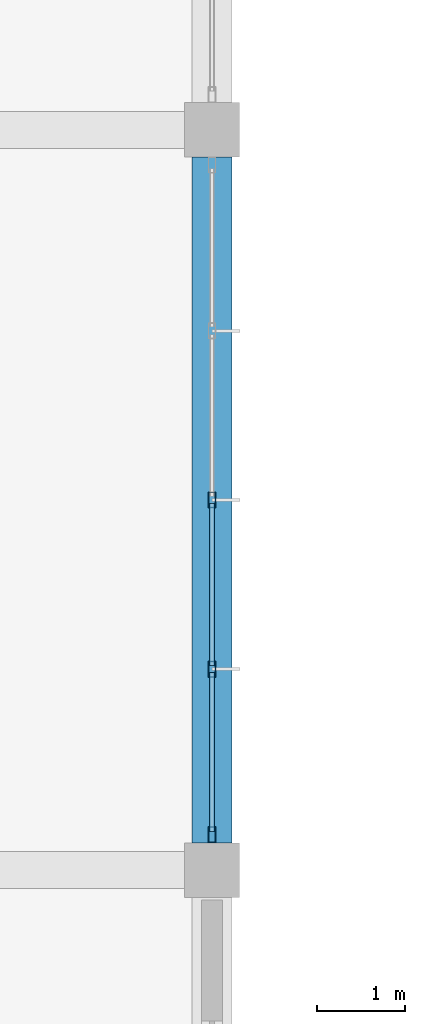
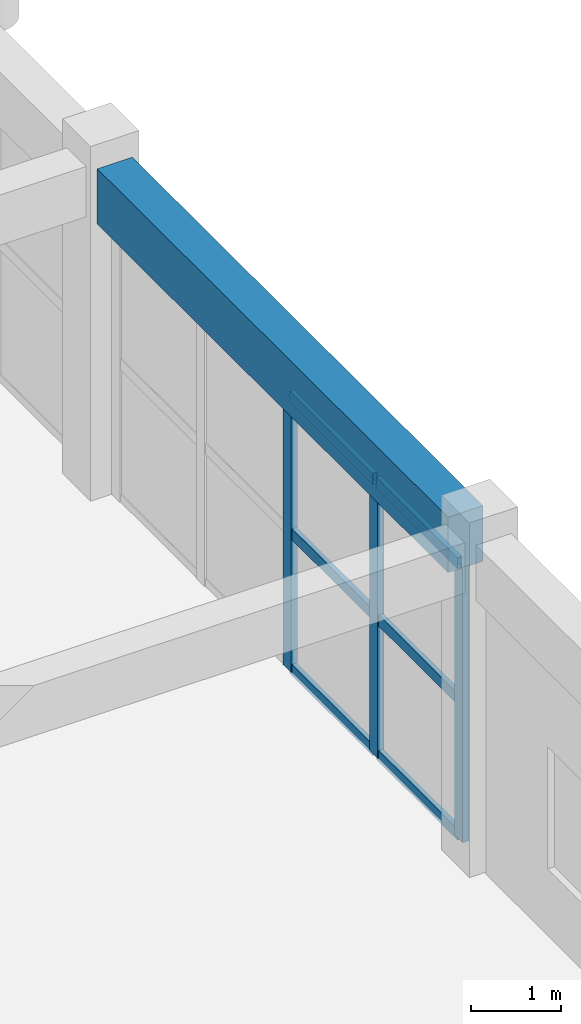
# One storey, part 93 of 167: 9 members, 1 beam, 1 element without a shape of its own.
"""IFC4 building model written with IfcOpenShell, lengths in metres."""

from ifc_helpers import new_model, si_unit, direction, frame, origin, origin_2d, place, context, subcontext, project, spatial, rectangle, hollow_rectangle, extrude, material, layer, layer_set, material_profile, profile_set, type_object, element, aggregate, save


model = new_model("IFC4")

# Units and contexts
model_context = context("Model", 3, precision=1e-05, world=origin(), true_north=direction((0.0, 1.0)))
body_context = subcontext(model_context, "Body", "Model", "MODEL_VIEW")
ifc_project = project(units=[si_unit("LENGTHUNIT", "METRE"), si_unit("AREAUNIT", "SQUARE_METRE"), si_unit("VOLUMEUNIT", "CUBIC_METRE"), si_unit("PLANEANGLEUNIT", "RADIAN"), si_unit("MASSUNIT", "GRAM", prefix="KILO")], contexts=[model_context])

# Site, building, storey
site_placement = place(None, origin())
site = spatial("IfcSite", under=ifc_project, at=site_placement, CompositionType="ELEMENT")
building_placement = place(site_placement, origin())
building = spatial("IfcBuilding", under=site, at=building_placement, Name="Zizhar Promenade General Hospital", CompositionType="ELEMENT")
storey_placement = place(building_placement, frame((0.0, 0.0, 9.60009765625)))
storey = spatial("IfcBuildingStorey", under=building, at=storey_placement, Name="L02", CompositionType="ELEMENT", Elevation=9.60009765625)

# Beam
ifc_material_1 = material(Name="Concrete C35/45", Category="concrete")
ifc_material_profile_1 = material_profile(ifc_material_1, rectangle(XDim=0.449951171875, YDim=0.75, at=origin_2d()))
ifc_profile_set_1 = profile_set([ifc_material_profile_1], Name="Concrete C35/45")
beam_type = type_object("IfcBeamType", Name="BM-RC-450x750", PredefinedType="BEAM", material=ifc_profile_set_1)
beam_placement = place(storey_placement, frame((195.0, 59.110107421875, 4.094970703125), z_axis=(0.0, 1.0, 0.0), x_axis=(-1.0, 0.0, 0.0)))
element("IfcBeam", 1, at=beam_placement, inside=storey, type_object=beam_type, Name="Grid Beam Y L02 (25-7)", PredefinedType="BEAM", context=body_context, shape_type="SweptSolid", body=[
    extrude(rectangle(XDim=0.449951171875, YDim=0.75, at=origin_2d()), origin(), (0.0, 0.0, 1.0), 7.77978515625),
])

# Curtain wall, members
ifc_material_2 = material(Name="Anodised aluminium 6063-T6 and low-E glass", Category="aluminium")
ifc_layer = layer(ifc_material_2, 0.159912109375)
ifc_layer_set = layer_set([ifc_layer], Name="Anodised aluminium 6063-T6 and low-E glass")
curtain_wall_type = type_object("IfcCurtainWallType", Name="CW-CLN-EXT", PredefinedType="NOTDEFINED", material=ifc_layer_set)
curtain_wall_placement = place(storey_placement, origin())
curtain_wall = element("IfcCurtainWall", 2, at=curtain_wall_placement, inside=storey, type_object=curtain_wall_type, Name="Outpatient East Curtain Wall L02-7", PredefinedType="NOTDEFINED")
ifc_material_3 = material(Name="Anodised aluminium 6063-T6", Category="aluminium")
ifc_material_profile_2 = material_profile(ifc_material_3, hollow_rectangle(XDim=0.080078125, YDim=0.179931640625, WallThickness=0.0048828125, at=origin_2d()))
ifc_profile_set_2 = profile_set([ifc_material_profile_2], Name="Anodised aluminium 6063-T6")
member_type_1 = type_object("IfcMemberType", Name="CWM-ALU-180x80", PredefinedType="MULLION", material=ifc_profile_set_2)
member_1_placement = place(storey_placement, frame((195.0, 63.0, 0.0), z_axis=(0.0, 0.0, 1.0), x_axis=(1.0, 0.0, 0.0)))
member_1 = element("IfcMember", 3, at=member_1_placement, type_object=member_type_1, Name="CW-09 mullion 3", PredefinedType="MULLION", context=body_context, shape_type="SweptSolid", body=[
    extrude(hollow_rectangle(XDim=0.080078125, YDim=0.179931640625, WallThickness=0.0048828125, at=origin_2d()), origin(), (0.0, 0.0, 1.0), 3.72998046875),
])
member_2_placement = place(storey_placement, frame((195.0, 61.080078125, 0.0), z_axis=(0.0, 0.0, 1.0), x_axis=(1.0, 0.0, 0.0)))
member_2 = element("IfcMember", 4, at=member_2_placement, type_object=member_type_1, Name="CW-09 mullion 4", PredefinedType="MULLION", context=body_context, shape_type="SweptSolid", body=[
    extrude(hollow_rectangle(XDim=0.080078125, YDim=0.179931640625, WallThickness=0.0048828125, at=origin_2d()), origin(), (0.0, 0.0, 1.0), 3.72998046875),
])
member_3_placement = place(storey_placement, frame((195.0, 59.199951171875, 0.0), z_axis=(0.0, 0.0, 1.0), x_axis=(1.0, 0.0, 0.0)))
member_3 = element("IfcMember", 5, at=member_3_placement, type_object=member_type_1, Name="CW-09 mullion 5", PredefinedType="MULLION", context=body_context, shape_type="SweptSolid", body=[
    extrude(hollow_rectangle(XDim=0.080078125, YDim=0.179931640625, WallThickness=0.0048828125, at=origin_2d()), origin(), (0.0, 0.0, 1.0), 3.72998046875),
])
ifc_material_4 = material(Name="Anodised aluminium 6063-T6", Category="aluminium")
ifc_material_profile_3 = material_profile(ifc_material_4, hollow_rectangle(XDim=0.06005859375, YDim=0.14990234375, WallThickness=0.00390625, at=origin_2d()))
ifc_profile_set_3 = profile_set([ifc_material_profile_3], Name="Anodised aluminium 6063-T6")
member_type_2 = type_object("IfcMemberType", Name="CWT-ALU-150x60", PredefinedType="USERDEFINED", material=ifc_profile_set_3)
member_4_placement = place(storey_placement, frame((195.0, 62.9599609375, 0.02978515625), z_axis=(0.0, -1.0, 0.0), x_axis=(1.0, 0.0, 0.0)))
member_4 = element("IfcMember", 6, at=member_4_placement, type_object=member_type_2, Name="CW-09 transom 3.1", ObjectType="TRANSOM", PredefinedType="USERDEFINED", context=body_context, shape_type="SweptSolid", body=[
    extrude(hollow_rectangle(XDim=0.06005859375, YDim=0.14990234375, WallThickness=0.00390625, at=origin_2d()), origin(), (0.0, 0.0, 1.0), 1.83984375),
])
member_5_placement = place(storey_placement, frame((195.0, 62.9599609375, 1.864990234375), z_axis=(0.0, -1.0, 0.0), x_axis=(1.0, 0.0, 0.0)))
member_5 = element("IfcMember", 7, at=member_5_placement, type_object=member_type_2, Name="CW-09 transom 3.2", ObjectType="TRANSOM", PredefinedType="USERDEFINED", context=body_context, shape_type="SweptSolid", body=[
    extrude(hollow_rectangle(XDim=0.06005859375, YDim=0.14990234375, WallThickness=0.00390625, at=origin_2d()), origin(), (0.0, 0.0, 1.0), 1.83984375),
])
member_6_placement = place(storey_placement, frame((195.0, 62.9599609375, 3.699951171875), z_axis=(0.0, -1.0, 0.0), x_axis=(1.0, 0.0, 0.0)))
member_6 = element("IfcMember", 8, at=member_6_placement, type_object=member_type_2, Name="CW-09 transom 3.3", ObjectType="TRANSOM", PredefinedType="USERDEFINED", context=body_context, shape_type="SweptSolid", body=[
    extrude(hollow_rectangle(XDim=0.06005859375, YDim=0.14990234375, WallThickness=0.00390625, at=origin_2d()), origin(), (0.0, 0.0, 1.0), 1.83984375),
])
member_7_placement = place(storey_placement, frame((195.0, 61.0400390625, 0.02978515625), z_axis=(0.0, -1.0, 0.0), x_axis=(1.0, 0.0, 0.0)))
member_7 = element("IfcMember", 9, at=member_7_placement, type_object=member_type_2, Name="CW-09 transom 4.1", ObjectType="TRANSOM", PredefinedType="USERDEFINED", context=body_context, shape_type="SweptSolid", body=[
    extrude(hollow_rectangle(XDim=0.06005859375, YDim=0.14990234375, WallThickness=0.00390625, at=origin_2d()), origin(), (0.0, 0.0, 1.0), 1.800048828125),
])
member_8_placement = place(storey_placement, frame((195.0, 61.0400390625, 1.864990234375), z_axis=(0.0, -1.0, 0.0), x_axis=(1.0, 0.0, 0.0)))
member_8 = element("IfcMember", 10, at=member_8_placement, type_object=member_type_2, Name="CW-09 transom 4.2", ObjectType="TRANSOM", PredefinedType="USERDEFINED", context=body_context, shape_type="SweptSolid", body=[
    extrude(hollow_rectangle(XDim=0.06005859375, YDim=0.14990234375, WallThickness=0.00390625, at=origin_2d()), origin(), (0.0, 0.0, 1.0), 1.800048828125),
])
member_9_placement = place(storey_placement, frame((195.0, 61.0400390625, 3.699951171875), z_axis=(0.0, -1.0, 0.0), x_axis=(1.0, 0.0, 0.0)))
member_9 = element("IfcMember", 11, at=member_9_placement, type_object=member_type_2, Name="CW-09 transom 4.3", ObjectType="TRANSOM", PredefinedType="USERDEFINED", context=body_context, shape_type="SweptSolid", body=[
    extrude(hollow_rectangle(XDim=0.06005859375, YDim=0.14990234375, WallThickness=0.00390625, at=origin_2d()), origin(), (0.0, 0.0, 1.0), 1.800048828125),
])
aggregate(curtain_wall, [member_1, member_2, member_3, member_4, member_5, member_6, member_7, member_8, member_9])

save(model, "model.ifc")
